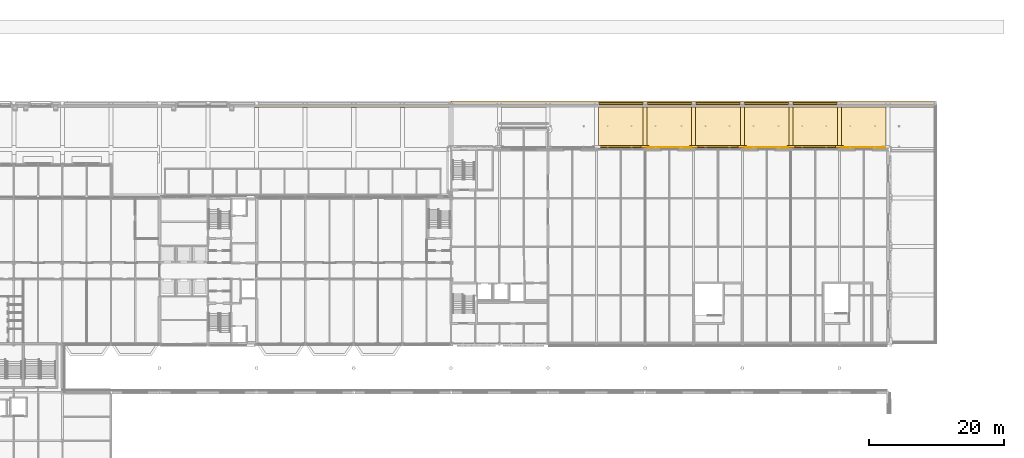
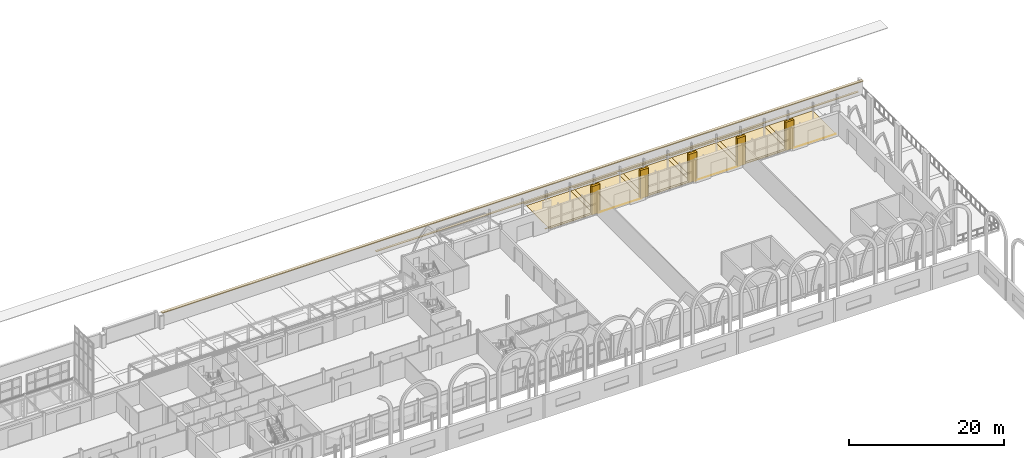
# One storey, part 135 of 143: 29 coverings.
"""IFC4 building model written with IfcOpenShell, lengths in metres."""

from ifc_helpers import new_model, si_unit, direction, frame, origin, origin_2d, place, context, subcontext, project, spatial, polyline, rectangle, outline, extrude, material, layer, layer_set, type_object, element, save


model = new_model("IFC4")

# Units and contexts
model_context = context("Model", 3, precision=1e-05, world=origin(), true_north=direction((0.0, 1.0)))
body_context = subcontext(model_context, "Body", "Model", "MODEL_VIEW")
ifc_project = project(units=[si_unit("LENGTHUNIT", "METRE"), si_unit("AREAUNIT", "SQUARE_METRE"), si_unit("VOLUMEUNIT", "CUBIC_METRE"), si_unit("PLANEANGLEUNIT", "RADIAN"), si_unit("MASSUNIT", "GRAM", prefix="KILO")], contexts=[model_context])

# Site, building, storey
site_placement = place(None, origin())
site = spatial("IfcSite", under=ifc_project, at=site_placement, CompositionType="ELEMENT")
building_placement = place(site_placement, origin())
building = spatial("IfcBuilding", under=site, at=building_placement, Name="Kupolbacken Congress Centre", CompositionType="ELEMENT")
storey_placement = place(building_placement, frame((0.0, 0.0, 7.199951171875)))
storey = spatial("IfcBuildingStorey", under=building, at=storey_placement, Name="L02", CompositionType="ELEMENT", Elevation=7.199951171875)

# Coverings
ifc_material_1 = material(Name="Limestone cladding", Category="masonry")
ifc_layer_1 = layer(ifc_material_1, 0.1201171875)
ifc_layer_set_1 = layer_set([ifc_layer_1], Name="Limestone cladding")
covering_type_1 = type_object("IfcCoveringType", Name="CV1 limestone cladding band 120", PredefinedType="CLADDING", material=ifc_layer_set_1)
covering_1_placement = place(storey_placement, frame((0.0, 0.0, 2.0)))
element("IfcCovering", 1, at=covering_1_placement, inside=storey, type_object=covering_type_1, Name="Limestone coping on boundary wall", PredefinedType="CLADDING", context=body_context, shape_type="SweptSolid", body=[
    extrude(outline(polyline([(208.799072265625, 157.449951171875), (104.60009765625, 157.449951171875), (104.60009765625, 157.85009765625), (208.799072265625, 157.85009765625), (208.799072265625, 157.449951171875)])), origin(), (0.0, 0.0, 1.0), 0.1201171875),
])
ifc_material_2 = material(Name="Limestone cladding", Category="masonry")
ifc_layer_2 = layer(ifc_material_2, 0.35009765625)
ifc_layer_set_2 = layer_set([ifc_layer_2], Name="Limestone cladding")
covering_type_2 = type_object("IfcCoveringType", Name="CV3 limestone pilaster strip 350", PredefinedType="CLADDING", material=ifc_layer_set_2)
for number, where, z_axis, x_axis, name in (
    (2, (165.60009765625, 151.614990234375, 0.0), (0.0, 0.0, 1.0), (1.0, 0.0, 0.0), "F/B/N/pil/04/0"),
    (3, (172.800048828125, 151.614990234375, 0.0), (0.0, 0.0, 1.0), (1.0, 0.0, 0.0), "F/B/N/pil/05/0"),
    (4, (180.0, 151.614990234375, 0.0), (0.0, 0.0, 1.0), (1.0, 0.0, 0.0), "F/B/N/pil/06/0"),
    (5, (187.199951171875, 151.614990234375, 0.0), (0.0, 0.0, 1.0), (1.0, 0.0, 0.0), "F/B/N/pil/07/0"),
    (6, (194.39990234375, 151.614990234375, 0.0), (0.0, 0.0, 1.0), (1.0, 0.0, 0.0), "F/B/N/pil/08/0"),
):
    element("IfcCovering", number, at=place(storey_placement, frame(where, z_axis=z_axis, x_axis=x_axis)), inside=storey, type_object=covering_type_2, Name=name, PredefinedType="CLADDING", context=body_context, shape_type="SweptSolid", body=[
        extrude(rectangle(XDim=1.199951171875, YDim=0.35009765625, at=origin_2d()), origin(), (0.0, 0.0, 1.0), 4.444091796875),
    ])
ifc_material_3 = material(Name="Limestone cladding", Category="masonry")
ifc_layer_3 = layer(ifc_material_3, 0.02001953125)
ifc_layer_set_3 = layer_set([ifc_layer_3], Name="Limestone cladding")
covering_type_3 = type_object("IfcCoveringType", Name="GF1 limestone paving 20", PredefinedType="FLOORING", material=ifc_layer_set_3)
covering_2_placement = place(storey_placement, origin())
element("IfcCovering", 7, at=covering_2_placement, inside=storey, type_object=covering_type_3, Name="North deck limestone paving", PredefinedType="FLOORING", context=body_context, shape_type="SweptSolid", body=[
    extrude(outline(polyline([(201.29541015625, 151.571044921875), (201.260498046875, 151.539306640625), (201.22900390625, 151.50439453125), (201.20849609375, 151.47705078125), (201.2255859375, 151.5), (194.7744140625, 151.5), (194.79150390625, 151.47705078125), (194.77099609375, 151.50439453125), (194.739501953125, 151.539306640625), (194.70458984375, 151.571044921875), (194.666748046875, 151.59912109375), (194.699951171875, 151.574462890625), (194.699951171875, 157.469970703125), (201.300048828125, 157.469970703125), (201.300048828125, 151.574462890625), (201.333251953125, 151.59912109375), (201.29541015625, 151.571044921875)])), origin(), (0.0, 0.0, 1.0), 0.02001953125),
])
covering_3_placement = place(storey_placement, origin())
element("IfcCovering", 8, at=covering_3_placement, inside=storey, type_object=covering_type_3, Name="North deck limestone paving", PredefinedType="FLOORING", context=body_context, shape_type="SweptSolid", body=[
    extrude(outline(polyline([(187.5, 151.77490234375), (187.5, 157.469970703125), (194.10009765625, 157.469970703125), (194.10009765625, 151.77490234375), (187.5, 151.77490234375)])), origin(), (0.0, 0.0, 1.0), 0.02001953125),
])
covering_4_placement = place(storey_placement, origin())
element("IfcCovering", 9, at=covering_4_placement, inside=storey, type_object=covering_type_3, Name="North deck limestone paving", PredefinedType="FLOORING", context=body_context, shape_type="SweptSolid", body=[
    extrude(outline(polyline([(186.89990234375, 151.574462890625), (186.860595703125, 151.539306640625), (186.828857421875, 151.50439453125), (186.80859375, 151.47705078125), (186.82568359375, 151.5), (180.37451171875, 151.5), (180.3916015625, 151.47705078125), (180.37109375, 151.50439453125), (180.33935546875, 151.539306640625), (180.304443359375, 151.571044921875), (180.2666015625, 151.59912109375), (180.300048828125, 151.574462890625), (180.300048828125, 157.469970703125), (186.89990234375, 157.469970703125), (186.89990234375, 151.574462890625)])), origin(), (0.0, 0.0, 1.0), 0.02001953125),
])
covering_5_placement = place(storey_placement, origin())
element("IfcCovering", 10, at=covering_5_placement, inside=storey, type_object=covering_type_3, Name="North deck limestone paving", PredefinedType="FLOORING", context=body_context, shape_type="SweptSolid", body=[
    extrude(outline(polyline([(173.10009765625, 151.77490234375), (173.10009765625, 157.469970703125), (179.699951171875, 157.469970703125), (179.699951171875, 151.77490234375), (173.10009765625, 151.77490234375)])), origin(), (0.0, 0.0, 1.0), 0.02001953125),
])
covering_6_placement = place(storey_placement, origin())
element("IfcCovering", 11, at=covering_6_placement, inside=storey, type_object=covering_type_3, Name="North deck limestone paving", PredefinedType="FLOORING", context=body_context, shape_type="SweptSolid", body=[
    extrude(outline(polyline([(172.49560546875, 151.571044921875), (172.460693359375, 151.539306640625), (172.428955078125, 151.50439453125), (172.408447265625, 151.47705078125), (172.425537109375, 151.5), (165.974365234375, 151.5), (165.991455078125, 151.47705078125), (165.97119140625, 151.50439453125), (165.939453125, 151.539306640625), (165.904541015625, 151.571044921875), (165.86669921875, 151.59912109375), (165.89990234375, 151.574462890625), (165.89990234375, 157.469970703125), (172.5, 157.469970703125), (172.5, 151.574462890625), (172.533203125, 151.59912109375), (172.49560546875, 151.571044921875)])), origin(), (0.0, 0.0, 1.0), 0.02001953125),
])
covering_7_placement = place(storey_placement, origin())
element("IfcCovering", 12, at=covering_7_placement, inside=storey, type_object=covering_type_3, Name="North deck limestone paving", PredefinedType="FLOORING", context=body_context, shape_type="SweptSolid", body=[
    extrude(outline(polyline([(158.699951171875, 151.77490234375), (158.699951171875, 157.469970703125), (165.300048828125, 157.469970703125), (165.300048828125, 151.77490234375), (158.699951171875, 151.77490234375)])), origin(), (0.0, 0.0, 1.0), 0.02001953125),
])
covering_8_placement = place(storey_placement, origin())
element("IfcCovering", 13, at=covering_8_placement, inside=storey, type_object=covering_type_3, Name="North deck limestone paving", PredefinedType="FLOORING", context=body_context, shape_type="SweptSolid", body=[
    extrude(outline(polyline([(187.5, 157.830078125), (187.5, 158.09912109375), (194.10009765625, 158.09912109375), (194.10009765625, 157.830078125), (187.5, 157.830078125)])), origin(), (0.0, 0.0, 1.0), 0.02001953125),
])
covering_9_placement = place(storey_placement, origin())
element("IfcCovering", 14, at=covering_9_placement, inside=storey, type_object=covering_type_3, Name="North deck limestone paving", PredefinedType="FLOORING", context=body_context, shape_type="SweptSolid", body=[
    extrude(outline(polyline([(180.300048828125, 157.830078125), (180.300048828125, 158.09912109375), (186.89990234375, 158.09912109375), (186.89990234375, 157.830078125), (180.300048828125, 157.830078125)])), origin(), (0.0, 0.0, 1.0), 0.02001953125),
])
covering_10_placement = place(storey_placement, origin())
element("IfcCovering", 15, at=covering_10_placement, inside=storey, type_object=covering_type_3, Name="North deck limestone paving", PredefinedType="FLOORING", context=body_context, shape_type="SweptSolid", body=[
    extrude(outline(polyline([(173.10009765625, 157.830078125), (173.10009765625, 158.09912109375), (179.699951171875, 158.09912109375), (179.699951171875, 157.830078125), (173.10009765625, 157.830078125)])), origin(), (0.0, 0.0, 1.0), 0.02001953125),
])
covering_11_placement = place(storey_placement, origin())
element("IfcCovering", 16, at=covering_11_placement, inside=storey, type_object=covering_type_3, Name="North deck limestone paving", PredefinedType="FLOORING", context=body_context, shape_type="SweptSolid", body=[
    extrude(outline(polyline([(165.89990234375, 157.830078125), (165.89990234375, 158.09912109375), (172.5, 158.09912109375), (172.5, 157.830078125), (165.89990234375, 157.830078125)])), origin(), (0.0, 0.0, 1.0), 0.02001953125),
])
covering_12_placement = place(storey_placement, origin())
element("IfcCovering", 17, at=covering_12_placement, inside=storey, type_object=covering_type_3, Name="North deck limestone paving", PredefinedType="FLOORING", context=body_context, shape_type="SweptSolid", body=[
    extrude(outline(polyline([(158.699951171875, 157.830078125), (158.699951171875, 158.09912109375), (165.300048828125, 158.09912109375), (165.300048828125, 157.830078125), (158.699951171875, 157.830078125)])), origin(), (0.0, 0.0, 1.0), 0.02001953125),
])
ifc_material_4 = material(Name="Brick", Category="masonry")
ifc_layer_4 = layer(ifc_material_4, 0.02001953125)
ifc_layer_set_4 = layer_set([ifc_layer_4], Name="Brick")
covering_type_4 = type_object("IfcCoveringType", Name="GF2 brick paving 20", PredefinedType="FLOORING", material=ifc_layer_set_4)
covering_13_placement = place(storey_placement, origin())
element("IfcCovering", 18, at=covering_13_placement, inside=storey, type_object=covering_type_4, Name="North paving band", PredefinedType="FLOORING", context=body_context, shape_type="SweptSolid", body=[
    extrude(outline(polyline([(165.300048828125, 157.469970703125), (165.89990234375, 157.469970703125), (165.89990234375, 151.574462890625), (165.86669921875, 151.59912109375), (165.826416015625, 151.623291015625), (165.82958984375, 151.62158203125), (165.852294921875, 151.77490234375), (165.300048828125, 151.77490234375), (165.300048828125, 157.469970703125)])), origin(), (0.0, 0.0, 1.0), 0.02001953125),
])
covering_14_placement = place(storey_placement, origin())
element("IfcCovering", 19, at=covering_14_placement, inside=storey, type_object=covering_type_4, Name="North paving band", PredefinedType="FLOORING", context=body_context, shape_type="SweptSolid", body=[
    extrude(outline(polyline([(172.425537109375, 151.5), (172.408447265625, 151.47705078125), (165.991455078125, 151.47705078125), (165.974365234375, 151.5), (172.425537109375, 151.5)])), origin(), (0.0, 0.0, 1.0), 0.02001953125),
])
covering_15_placement = place(storey_placement, origin())
element("IfcCovering", 20, at=covering_15_placement, inside=storey, type_object=covering_type_4, Name="North paving band", PredefinedType="FLOORING", context=body_context, shape_type="SweptSolid", body=[
    extrude(outline(polyline([(172.5, 157.469970703125), (173.10009765625, 157.469970703125), (173.10009765625, 151.77490234375), (172.5478515625, 151.77490234375), (172.570556640625, 151.62158203125), (172.533203125, 151.59912109375), (172.5, 151.574462890625), (172.5, 157.469970703125)])), origin(), (0.0, 0.0, 1.0), 0.02001953125),
])
covering_16_placement = place(storey_placement, origin())
element("IfcCovering", 21, at=covering_16_placement, inside=storey, type_object=covering_type_4, Name="North paving band", PredefinedType="FLOORING", context=body_context, shape_type="SweptSolid", body=[
    extrude(outline(polyline([(179.699951171875, 157.469970703125), (180.300048828125, 157.469970703125), (180.300048828125, 151.574462890625), (180.2666015625, 151.59912109375), (180.226318359375, 151.623291015625), (180.2294921875, 151.62158203125), (180.252197265625, 151.77490234375), (179.699951171875, 151.77490234375), (179.699951171875, 157.469970703125)])), origin(), (0.0, 0.0, 1.0), 0.02001953125),
])
covering_17_placement = place(storey_placement, origin())
element("IfcCovering", 22, at=covering_17_placement, inside=storey, type_object=covering_type_4, Name="North paving band", PredefinedType="FLOORING", context=body_context, shape_type="SweptSolid", body=[
    extrude(outline(polyline([(186.89990234375, 157.469970703125), (187.5, 157.469970703125), (187.5, 151.77490234375), (186.94775390625, 151.77490234375), (186.970458984375, 151.62158203125), (186.9736328125, 151.623291015625), (186.933349609375, 151.59912109375), (186.89990234375, 151.574462890625), (186.89990234375, 157.469970703125)])), origin(), (0.0, 0.0, 1.0), 0.02001953125),
])
covering_18_placement = place(storey_placement, origin())
element("IfcCovering", 23, at=covering_18_placement, inside=storey, type_object=covering_type_4, Name="North paving band", PredefinedType="FLOORING", context=body_context, shape_type="SweptSolid", body=[
    extrude(outline(polyline([(186.82568359375, 151.5), (186.80859375, 151.47705078125), (180.3916015625, 151.47705078125), (180.37451171875, 151.5), (186.82568359375, 151.5)])), origin(), (0.0, 0.0, 1.0), 0.02001953125),
])
covering_19_placement = place(storey_placement, origin())
element("IfcCovering", 24, at=covering_19_placement, inside=storey, type_object=covering_type_4, Name="North paving band", PredefinedType="FLOORING", context=body_context, shape_type="SweptSolid", body=[
    extrude(outline(polyline([(194.10009765625, 157.469970703125), (194.699951171875, 157.469970703125), (194.699951171875, 151.574462890625), (194.666748046875, 151.59912109375), (194.62939453125, 151.62158203125), (194.652099609375, 151.77490234375), (194.10009765625, 151.77490234375), (194.10009765625, 157.469970703125)])), origin(), (0.0, 0.0, 1.0), 0.02001953125),
])
covering_20_placement = place(storey_placement, origin())
element("IfcCovering", 25, at=covering_20_placement, inside=storey, type_object=covering_type_4, Name="North paving band", PredefinedType="FLOORING", context=body_context, shape_type="SweptSolid", body=[
    extrude(outline(polyline([(201.2255859375, 151.5), (201.20849609375, 151.47705078125), (194.79150390625, 151.47705078125), (194.7744140625, 151.5), (201.2255859375, 151.5)])), origin(), (0.0, 0.0, 1.0), 0.02001953125),
])
ifc_material_5 = material(Name="Granite setts", Category="masonry")
ifc_layer_5 = layer(ifc_material_5, 0.10009765625)
ifc_layer_set_5 = layer_set([ifc_layer_5], Name="Granite setts")
covering_type_5 = type_object("IfcCoveringType", Name="GR3 granite sett paving 100", PredefinedType="FLOORING", material=ifc_layer_set_5)
covering_21_placement = place(storey_placement, origin())
element("IfcCovering", 26, at=covering_21_placement, inside=storey, type_object=covering_type_5, Name="Granite kerb edging", PredefinedType="FLOORING", context=body_context, shape_type="SweptSolid", body=[
    extrude(outline(polyline([(165.647216796875, 151.677734375), (165.60009765625, 151.679931640625), (165.552978515625, 151.677734375), (165.50634765625, 151.6708984375), (165.460693359375, 151.659423828125), (165.416259765625, 151.6435546875), (165.373779296875, 151.623291015625), (165.333251953125, 151.59912109375), (165.29541015625, 151.571044921875), (165.260498046875, 151.539306640625), (165.22900390625, 151.50439453125), (165.20849609375, 151.47705078125), (158.79150390625, 151.47705078125), (158.77099609375, 151.50439453125), (158.739501953125, 151.539306640625), (158.70458984375, 151.571044921875), (158.666748046875, 151.59912109375), (158.626220703125, 151.623291015625), (158.583740234375, 151.6435546875), (158.539306640625, 151.659423828125), (158.49365234375, 151.6708984375), (158.447021484375, 151.677734375), (158.39990234375, 151.679931640625), (158.352783203125, 151.677734375), (158.306396484375, 151.6708984375), (158.2607421875, 151.659423828125), (158.21630859375, 151.6435546875), (158.17041015625, 151.62158203125), (158.147705078125, 151.77490234375), (165.852294921875, 151.77490234375), (165.82958984375, 151.62158203125), (165.78369140625, 151.6435546875), (165.7392578125, 151.659423828125), (165.693603515625, 151.6708984375), (165.647216796875, 151.677734375)])), origin(), (0.0, 0.0, 1.0), 0.10009765625),
])
covering_22_placement = place(storey_placement, origin())
element("IfcCovering", 27, at=covering_22_placement, inside=storey, type_object=covering_type_5, Name="Granite kerb edging", PredefinedType="FLOORING", context=body_context, shape_type="SweptSolid", body=[
    extrude(outline(polyline([(180.047119140625, 151.677734375), (180.0, 151.679931640625), (179.952880859375, 151.677734375), (179.90625, 151.6708984375), (179.860595703125, 151.659423828125), (179.81640625, 151.6435546875), (179.773681640625, 151.623291015625), (179.7333984375, 151.59912109375), (179.695556640625, 151.571044921875), (179.66064453125, 151.539306640625), (179.62890625, 151.50439453125), (179.6083984375, 151.47705078125), (173.19140625, 151.47705078125), (173.171142578125, 151.50439453125), (173.139404296875, 151.539306640625), (173.1044921875, 151.571044921875), (173.066650390625, 151.59912109375), (173.0263671875, 151.623291015625), (172.983642578125, 151.6435546875), (172.939208984375, 151.659423828125), (172.893798828125, 151.6708984375), (172.84716796875, 151.677734375), (172.800048828125, 151.679931640625), (172.7529296875, 151.677734375), (172.706298828125, 151.6708984375), (172.66064453125, 151.659423828125), (172.6162109375, 151.6435546875), (172.570556640625, 151.62158203125), (172.5478515625, 151.77490234375), (180.252197265625, 151.77490234375), (180.2294921875, 151.62158203125), (180.18359375, 151.6435546875), (180.139404296875, 151.659423828125), (180.09375, 151.6708984375), (180.047119140625, 151.677734375)])), origin(), (0.0, 0.0, 1.0), 0.10009765625),
])
covering_23_placement = place(storey_placement, origin())
element("IfcCovering", 28, at=covering_23_placement, inside=storey, type_object=covering_type_5, Name="Granite kerb edging", PredefinedType="FLOORING", context=body_context, shape_type="SweptSolid", body=[
    extrude(outline(polyline([(194.49365234375, 151.6708984375), (194.447021484375, 151.677734375), (194.39990234375, 151.679931640625), (194.352783203125, 151.677734375), (194.306396484375, 151.6708984375), (194.2607421875, 151.659423828125), (194.21630859375, 151.6435546875), (194.173583984375, 151.623291015625), (194.13330078125, 151.59912109375), (194.095458984375, 151.571044921875), (194.060546875, 151.539306640625), (194.02880859375, 151.50439453125), (194.008544921875, 151.47705078125), (187.591552734375, 151.47705078125), (187.571044921875, 151.50439453125), (187.539306640625, 151.539306640625), (187.50439453125, 151.571044921875), (187.466796875, 151.59912109375), (187.42626953125, 151.623291015625), (187.3837890625, 151.6435546875), (187.33935546875, 151.659423828125), (187.293701171875, 151.6708984375), (187.2470703125, 151.677734375), (187.199951171875, 151.679931640625), (187.15283203125, 151.677734375), (187.106201171875, 151.6708984375), (187.060791015625, 151.659423828125), (187.016357421875, 151.6435546875), (186.970458984375, 151.62158203125), (186.94775390625, 151.77490234375), (194.652099609375, 151.77490234375), (194.62939453125, 151.62158203125), (194.583740234375, 151.6435546875), (194.539306640625, 151.659423828125), (194.49365234375, 151.6708984375)])), origin(), (0.0, 0.0, 1.0), 0.10009765625),
])
covering_24_placement = place(storey_placement, origin())
element("IfcCovering", 29, at=covering_24_placement, inside=storey, type_object=covering_type_5, Name="Granite kerb edging", PredefinedType="FLOORING", context=body_context, shape_type="SweptSolid", body=[
    extrude(outline(polyline([(208.468994140625, 158.09912109375), (136.802001953125, 158.09912109375), (136.802001953125, 158.39697265625), (208.468994140625, 158.39697265625), (208.468994140625, 158.09912109375)])), origin(), (0.0, 0.0, 1.0), 0.10009765625),
])

save(model, "model.ifc")
